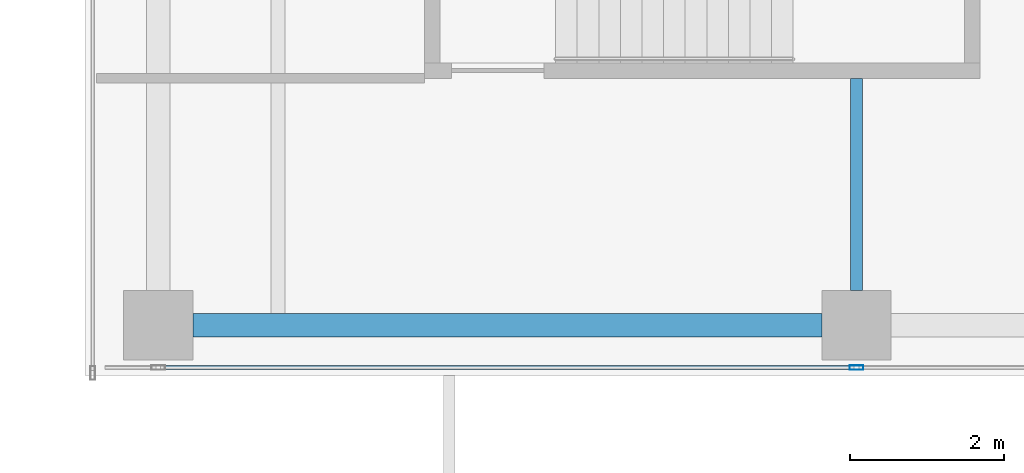
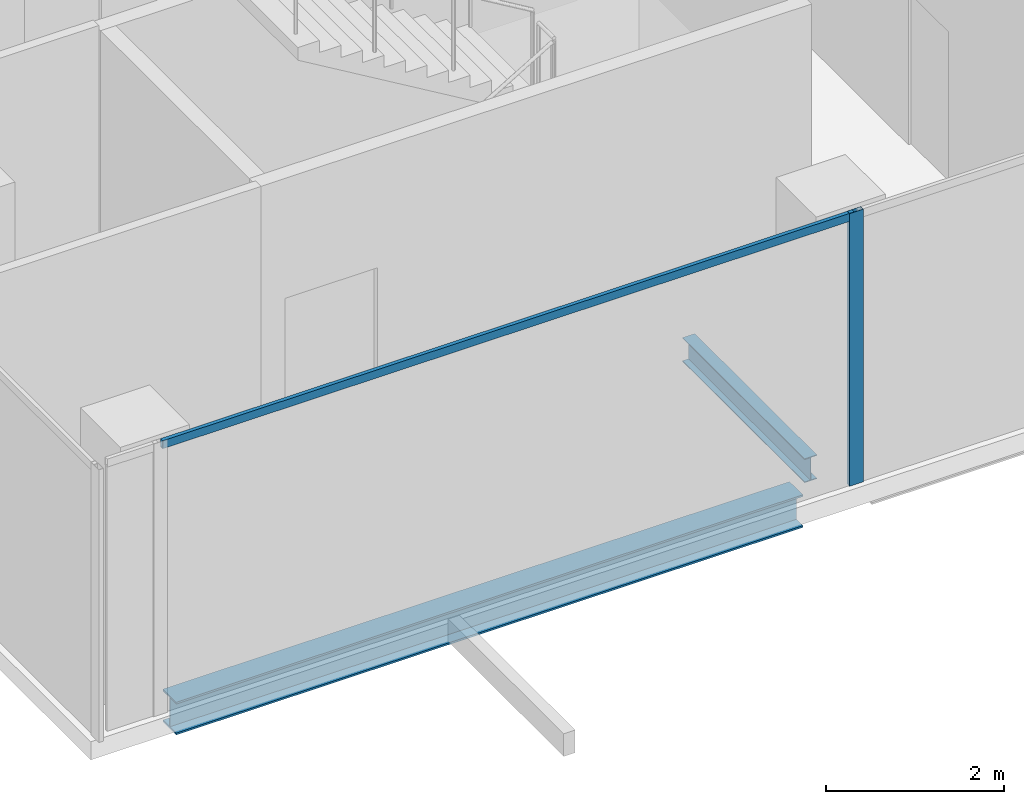
# One storey, part 3 of 34: 2 beams, 2 members, 1 element without a shape of its own.
"""IFC4 building model written with IfcOpenShell, lengths in metres."""

from ifc_helpers import new_model, si_unit, direction, frame, origin, origin_2d, place, context, subcontext, project, spatial, hollow_rectangle, i_section, extrude, source, transform, mapped, material, material_profile, profile_set, type_object, element, aggregate, save


model = new_model("IFC4")

# Units and contexts
model_context = context("Model", 3, precision=1e-05, world=origin(), true_north=direction((0.0, 1.0)))
body_context = subcontext(model_context, "Body", "Model", "MODEL_VIEW")
ifc_project = project(units=[si_unit("LENGTHUNIT", "METRE"), si_unit("AREAUNIT", "SQUARE_METRE"), si_unit("VOLUMEUNIT", "CUBIC_METRE"), si_unit("PLANEANGLEUNIT", "RADIAN"), si_unit("MASSUNIT", "GRAM", prefix="KILO")], contexts=[model_context])

# Site, building, storey
site_placement = place(None, origin())
site = spatial("IfcSite", under=ifc_project, at=site_placement, CompositionType="ELEMENT")
building_placement = place(site_placement, origin())
building = spatial("IfcBuilding", under=site, at=building_placement, Name="Khomas Fold Tower", CompositionType="ELEMENT")
storey_placement = place(building_placement, frame((0.0, 0.0, 254.199951171875)))
storey = spatial("IfcBuildingStorey", under=building, at=storey_placement, Name="L57", CompositionType="ELEMENT", Elevation=254.199951171875)

# Beams
ifc_material_1 = material(Name="Steel S355", Category="steel")
ifc_material_profile_1 = material_profile(ifc_material_1, i_section(OverallWidth=0.159912109375, OverallDepth=0.330078125, WebThickness=0.007568359375, FlangeThickness=0.011474609375, at=origin_2d()), Name="IPE 330")
ifc_profile_set_1 = profile_set([ifc_material_profile_1], Name="Steel S355")
beam_type_1 = type_object("IfcBeamType", Name="IPE 330 beam JB1", PredefinedType="BEAM", material=ifc_profile_set_1)
shared_shape_1 = source(origin(), body_context, "Body", "SweptSolid", [
    extrude(i_section(OverallWidth=0.159912109375, OverallDepth=0.330078125, WebThickness=0.007568359375, FlangeThickness=0.011474609375, at=origin_2d()), origin(), (0.0, 0.0, 1.0), 2.75),
])
beam_1_placement = place(storey_placement, frame((19.5, 5.60009765625, -0.4150390625), z_axis=(0.0, 1.0, 0.0), x_axis=(-1.0, 0.0, 0.0)))
element("IfcBeam", 1, at=beam_1_placement, inside=storey, type_object=beam_type_1, Name="JB1", PredefinedType="BEAM", context=body_context, shape_type="MappedRepresentation", body=[
    mapped(shared_shape_1, transform((0.0, 0.0, 0.0))),
])
ifc_material_2 = material(Name="Steel S355", Category="steel")
ifc_material_profile_2 = material_profile(ifc_material_2, i_section(OverallWidth=0.300048828125, OverallDepth=0.449951171875, WebThickness=0.013916015625, FlangeThickness=0.02587890625, at=origin_2d()), Name="HE 450 B")
ifc_profile_set_2 = profile_set([ifc_material_profile_2], Name="Steel S355")
beam_type_2 = type_object("IfcBeamType", Name="HE 450 B spandrel SB4", PredefinedType="SPANDREL", material=ifc_profile_set_2)
shared_shape_2 = source(origin(), body_context, "Body", "SweptSolid", [
    extrude(i_section(OverallWidth=0.300048828125, OverallDepth=0.449951171875, WebThickness=0.013916015625, FlangeThickness=0.02587890625, at=origin_2d()), origin(), (0.0, 0.0, 1.0), 8.150146484375),
])
beam_2_placement = place(storey_placement, frame((10.89990234375, 5.14990234375, -0.474853515625), z_axis=(1.0, 0.0, 0.0), x_axis=(0.0, 1.0, 0.0)))
element("IfcBeam", 2, at=beam_2_placement, inside=storey, type_object=beam_type_2, Name="SB4", PredefinedType="SPANDREL", context=body_context, shape_type="MappedRepresentation", body=[
    mapped(shared_shape_2, transform((0.0, 0.0, 0.0))),
])

# Curtain wall, members
ifc_material_3 = material(Name="Aluminium framed double glazing", Category="aluminium")
curtain_wall_type = type_object("IfcCurtainWallType", Name="SK-Unitised clear-glass wall, office floors CW2", PredefinedType="NOTDEFINED", material=ifc_material_3)
curtain_wall_placement = place(storey_placement, origin())
curtain_wall = element("IfcCurtainWall", 3, at=curtain_wall_placement, inside=storey, type_object=curtain_wall_type, Name="CW2 run L57 00-0", PredefinedType="NOTDEFINED")
ifc_material_4 = material(Name="Aluminium", Category="aluminium")
ifc_material_profile_3 = material_profile(ifc_material_4, hollow_rectangle(XDim=0.06005859375, YDim=0.179931640625, WallThickness=0.00390625, at=origin_2d()), Name="SK-Unitised clear-glass wall, office floors mullion CW2-M")
ifc_profile_set_3 = profile_set([ifc_material_profile_3], Name="Aluminium")
member_type_1 = type_object("IfcMemberType", Name="SK-Unitised clear-glass wall, office floors mullion CW2-M", PredefinedType="MULLION", material=ifc_profile_set_3)
shared_shape_3 = source(origin(), body_context, "Body", "SweptSolid", [
    extrude(hollow_rectangle(XDim=0.06005859375, YDim=0.179931640625, WallThickness=0.00390625, at=origin_2d()), origin(), (0.0, 0.0, 1.0), 3.75),
])
member_1_placement = place(storey_placement, frame((19.5, 4.60009765625, 0.0), z_axis=(0.0, 0.0, 1.0), x_axis=(0.0, 1.0, 0.0)))
member_1 = element("IfcMember", 4, at=member_1_placement, type_object=member_type_1, Name="CW2 mullion 3", PredefinedType="MULLION", context=body_context, shape_type="MappedRepresentation", body=[
    mapped(shared_shape_3, transform((0.0, 0.0, 0.0))),
])
ifc_material_5 = material(Name="Aluminium", Category="aluminium")
ifc_material_profile_4 = material_profile(ifc_material_5, hollow_rectangle(XDim=0.050048828125, YDim=0.110107421875, WallThickness=0.00390625, at=origin_2d()), Name="SK-Unitised clear-glass wall, office floors transom CW2-T")
ifc_profile_set_4 = profile_set([ifc_material_profile_4], Name="Aluminium")
member_type_2 = type_object("IfcMemberType", Name="SK-Unitised clear-glass wall, office floors transom CW2-T", PredefinedType="USERDEFINED", material=ifc_profile_set_4)
shared_shape_4 = source(origin(), body_context, "Body", "SweptSolid", [
    extrude(hollow_rectangle(XDim=0.050048828125, YDim=0.110107421875, WallThickness=0.00390625, at=origin_2d()), origin(), (0.0, 0.0, 1.0), 8.989990234375),
])
member_2_placement = place(storey_placement, frame((10.47998046875, 4.60009765625, 3.695068359375), z_axis=(1.0, 0.0, 0.0), x_axis=(0.0, 1.0, 0.0)))
member_2 = element("IfcMember", 5, at=member_2_placement, type_object=member_type_2, Name="CW2 transom 2", ObjectType="TRANSOM", PredefinedType="USERDEFINED", context=body_context, shape_type="MappedRepresentation", body=[
    mapped(shared_shape_4, transform((0.0, 0.0, 0.0))),
])
aggregate(curtain_wall, [member_1, member_2])

save(model, "model.ifc")
